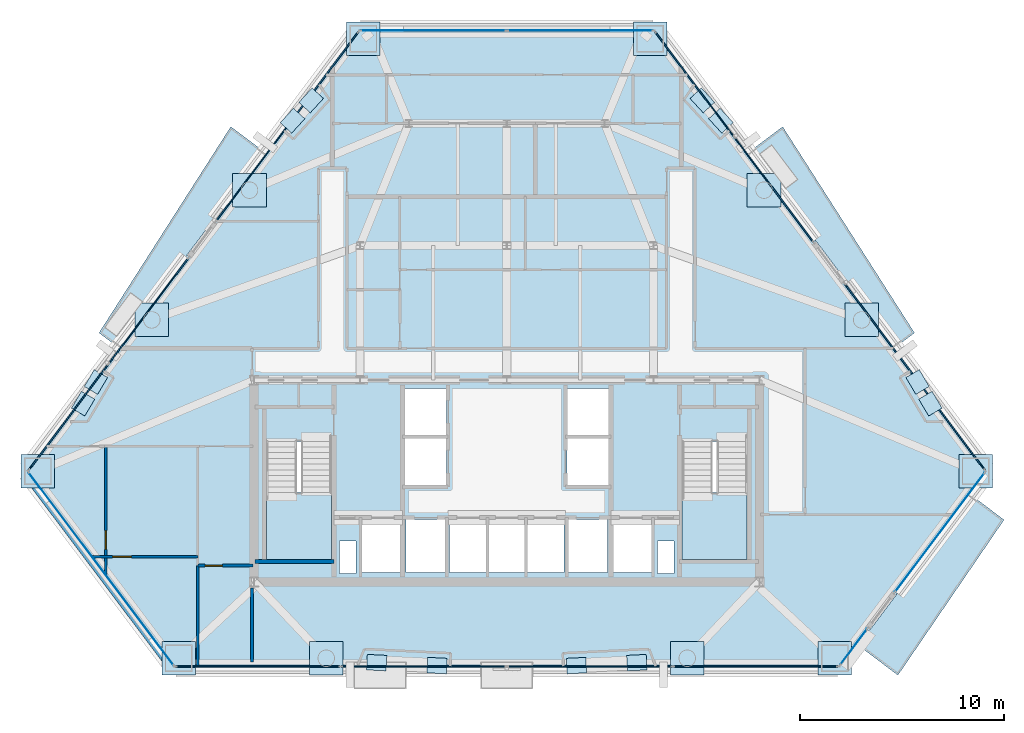
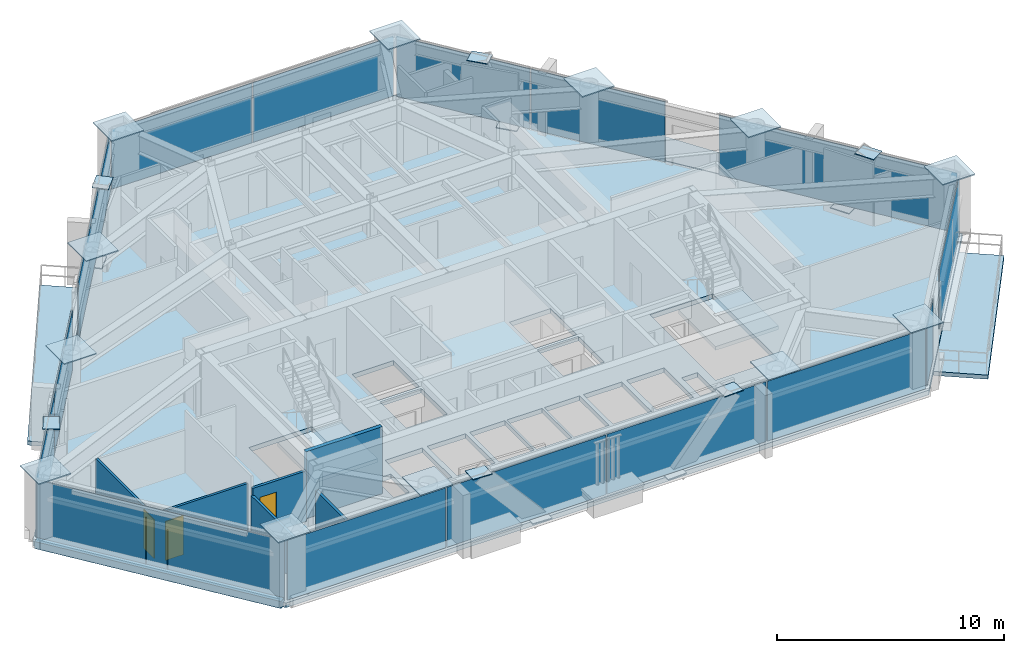
# One storey, part 5 of 11: 39 plates, 7 walls, 6 slabs, 3 doors, 3 openings, 11 elements without a shape of their own.
"""IFC4 building model written with IfcOpenShell, lengths in metres."""

from ifc_helpers import new_model, si_unit, direction, frame, frame_2d, origin, origin_2d, place, context, subcontext, project, spatial, polyline, rectangle, outline, extrude, source, transform, mapped, material, layer, layer_set, type_object, type_shapes, element, fill, aggregate, save


model = new_model("IFC4")

# Units and contexts
model_context = context("Model", 3, precision=1e-05, world=origin(), true_north=direction((0.0, 1.0)))
body_context = subcontext(model_context, "Body", "Model", "MODEL_VIEW")
ifc_project = project(units=[si_unit("LENGTHUNIT", "METRE"), si_unit("AREAUNIT", "SQUARE_METRE"), si_unit("VOLUMEUNIT", "CUBIC_METRE"), si_unit("PLANEANGLEUNIT", "RADIAN"), si_unit("MASSUNIT", "GRAM", prefix="KILO")], contexts=[model_context])

# Site, building, storey
site_placement = place(None, origin())
site = spatial("IfcSite", under=ifc_project, at=site_placement, CompositionType="ELEMENT")
building_placement = place(site_placement, origin())
building = spatial("IfcBuilding", under=site, at=building_placement, Name="Talgorran Terracotta Tower", CompositionType="ELEMENT")
storey_placement = place(building_placement, frame((0.0, 0.0, 79.199951171875)))
storey = spatial("IfcBuildingStorey", under=building, at=storey_placement, Name="L20", CompositionType="ELEMENT", Elevation=79.199951171875)

# Plates
ifc_material_1 = material(Name="Steel Grade 350 (350L0)", Category="steel")
ifc_layer_1 = layer(ifc_material_1, 0.0400390625, Name="PL_CAP_MN05")
ifc_layer_set_1 = layer_set([ifc_layer_1], Name="Steel Grade 350 (350L0)")
plate_type_1 = type_object("IfcPlateType", Name="PL_CAP_MN05", PredefinedType="USERDEFINED", material=ifc_layer_set_1)
for number, where, z_axis, x_axis, name in (
    (1, (-3.419189453125, -18.206787109375, -0.010009765625), (0.0, 0.0, 1.0), (-0.998814648022, 0.048675444496, 0.0), "L20 Diagonal Frame End Cap SWF Bot"),
    (2, (-6.381591796875, -18.062255859375, 3.320068359375), (0.0, 0.0, 1.0), (-0.998814648022, 0.048675444496, 0.0), "L20 Diagonal Frame End Cap SWF Top"),
    (3, (3.419189453125, -18.206787109375, -0.010009765625), (0.0, 0.0, 1.0), (0.998814648022, 0.048675444496, 0.0), "L20 Diagonal Frame End Cap SEF Bot"),
    (4, (6.381591796875, -18.062255859375, 3.320068359375), (0.0, 0.0, 1.0), (0.998814648022, 0.048675444496, 0.0), "L20 Diagonal Frame End Cap SEF Top"),
    (5, (20.15869140625, -4.291015625, -0.010009765625), (0.0, 0.0, 1.0), (0.509942503415, -0.860208488223, 0.0), "L20 Diagonal Frame End Cap NEL Bot"),
    (6, (20.788818359375, -5.353759765625, 3.320068359375), (0.0, 0.0, 1.0), (0.509942503415, -0.860208488223, 0.0), "L20 Diagonal Frame End Cap NEL Top"),
    (7, (10.51123046875, 8.531005859375, -0.010009765625), (0.0, 0.0, 1.0), (-0.675847524792, 0.737041466427, 0.0), "L20 Diagonal Frame End Cap NEU Bot"),
    (8, (9.59765625, 9.527099609375, 3.320068359375), (0.0, 0.0, 1.0), (-0.675847524792, 0.737041466427, 0.0), "L20 Diagonal Frame End Cap NEU Top"),
    (9, (-10.51123046875, 8.531005859375, -0.010009765625), (0.0, 0.0, 1.0), (0.675847524792, 0.737041466427, 0.0), "L20 Diagonal Frame End Cap NWU Bot"),
    (10, (-9.59765625, 9.527099609375, 3.320068359375), (0.0, 0.0, 1.0), (0.675847524792, 0.737041466427, 0.0), "L20 Diagonal Frame End Cap NWU Top"),
    (11, (-20.15869140625, -4.291015625, -0.010009765625), (0.0, 0.0, 1.0), (-0.509942503415, -0.860208488223, 0.0), "L20 Diagonal Frame End Cap NWL Bot"),
    (12, (-20.788818359375, -5.353759765625, 3.320068359375), (0.0, 0.0, 1.0), (-0.509942503415, -0.860208488223, 0.0), "L20 Diagonal Frame End Cap NWL Top"),
):
    element("IfcPlate", number, at=place(storey_placement, frame(where, z_axis=z_axis, x_axis=x_axis)), inside=storey, type_object=plate_type_1, Name=name, ObjectType="CAP PLATE", PredefinedType="USERDEFINED", context=body_context, shape_type="SweptSolid", body=[
        extrude(rectangle(XDim=0.9599609375, YDim=0.760009765625, at=origin_2d()), origin(), (0.0, 0.0, 1.0), 0.0400390625),
    ])
ifc_layer_2 = layer(ifc_material_1, 0.06005859375, Name="PL_NODE_MN01")
ifc_layer_set_2 = layer_set([ifc_layer_2], Name="Steel Grade 350 (350L0)")
plate_type_2 = type_object("IfcPlateType", Name="PL_NODE_MN01", PredefinedType="USERDEFINED", material=ifc_layer_set_2)
for number, where, z_axis, x_axis, name in (
    (13, (-23.005126953125, -8.6728515625, 3.5849609375), (0.0, 0.0, 1.0), (1.0, 0.0, 0.0), "L20 Mega-Column Cap Plate MC1"),
    (14, (-16.1025390625, -17.8466796875, 3.5849609375), (0.0, 0.0, 1.0), (1.0, 0.0, 0.0), "L20 Mega-Column Cap Plate MC2"),
    (15, (16.1025390625, -17.8466796875, 3.5849609375), (0.0, 0.0, 1.0), (1.0, 0.0, 0.0), "L20 Mega-Column Cap Plate MC3"),
    (16, (23.005126953125, -8.6728515625, 3.5849609375), (0.0, 0.0, 1.0), (1.0, 0.0, 0.0), "L20 Mega-Column Cap Plate MC4"),
    (17, (7.034423828125, 12.552734375, 3.5849609375), (0.0, 0.0, 1.0), (1.0, 0.0, 0.0), "L20 Mega-Column Cap Plate MC5"),
    (18, (-7.034423828125, 12.552734375, 3.5849609375), (0.0, 0.0, 1.0), (1.0, 0.0, 0.0), "L20 Mega-Column Cap Plate MC6"),
    (19, (-8.8564453125, -17.8466796875, 3.5849609375), (0.0, 0.0, 1.0), (1.0, 0.0, 0.0), "L20 Facet Column Cap Plate FC1"),
    (20, (8.8564453125, -17.8466796875, 3.5849609375), (0.0, 0.0, 1.0), (1.0, 0.0, 0.0), "L20 Facet Column Cap Plate FC2"),
    (21, (17.41552734375, -1.243896484375, 3.5849609375), (0.0, 0.0, 1.0), (1.0, 0.0, 0.0), "L20 Facet Column Cap Plate FC3"),
    (22, (12.624267578125, 5.123779296875, 3.5849609375), (0.0, 0.0, 1.0), (1.0, 0.0, 0.0), "L20 Facet Column Cap Plate FC4"),
    (23, (-12.624267578125, 5.123779296875, 3.5849609375), (0.0, 0.0, 1.0), (1.0, 0.0, 0.0), "L20 Facet Column Cap Plate FC5"),
    (24, (-17.41552734375, -1.243896484375, 3.5849609375), (0.0, 0.0, 1.0), (1.0, 0.0, 0.0), "L20 Facet Column Cap Plate FC6"),
):
    element("IfcPlate", number, at=place(storey_placement, frame(where, z_axis=z_axis, x_axis=x_axis)), inside=storey, type_object=plate_type_2, Name=name, ObjectType="NODE PLATE", PredefinedType="USERDEFINED", context=body_context, shape_type="SweptSolid", body=[
        extrude(rectangle(XDim=1.64990234375, YDim=1.64990234375, at=origin_2d()), origin(), (0.0, 0.0, 1.0), 0.06005859375),
    ])

# Slabs
ifc_material_2 = material(Name="Concrete C40/50", Category="concrete")
ifc_layer_3 = layer(ifc_material_2, 0.219970703125, Name="SL_BALCONY_220")
ifc_layer_set_3 = layer_set([ifc_layer_3], Name="Concrete C40/50")
slab_type_1 = type_object("IfcSlabType", Name="SL_BALCONY_220", PredefinedType="FLOOR", material=ifc_layer_set_3)
slab_1_placement = place(storey_placement, frame((0.0, 0.0, -0.219970703125)))
element("IfcSlab", 25, at=slab_1_placement, inside=storey, type_object=slab_type_1, Name="L20 Outdoor Wave Balcony BAL-NE", PredefinedType="FLOOR", context=body_context, shape_type="SweptSolid", body=[
    extrude(outline(polyline([(11.88720703125, 6.9931640625), (19.086669921875, -2.574951171875), (20.00732421875, -1.882080078125), (13.53955078125, 8.236083984375), (11.88720703125, 6.9931640625)])), origin(), (0.0, 0.0, 1.0), 0.219970703125),
])
slab_2_placement = place(storey_placement, frame((0.0, 0.0, -0.219970703125)))
element("IfcSlab", 26, at=slab_2_placement, inside=storey, type_object=slab_type_1, Name="L20 Outdoor Wave Balcony BAL-NW", PredefinedType="FLOOR", context=body_context, shape_type="SweptSolid", body=[
    extrude(outline(polyline([(-19.086669921875, -2.574951171875), (-11.88720703125, 6.9931640625), (-13.53955078125, 8.236083984375), (-20.00732421875, -1.882080078125), (-19.086669921875, -2.574951171875)])), origin(), (0.0, 0.0, 1.0), 0.219970703125),
])
slab_3_placement = place(storey_placement, frame((0.0, 0.0, -0.219970703125)))
element("IfcSlab", 27, at=slab_3_placement, inside=storey, type_object=slab_type_1, Name="L20 Outdoor Wave Balcony BAL-SE", PredefinedType="FLOOR", context=body_context, shape_type="SweptSolid", body=[
    extrude(outline(polyline([(22.792724609375, -9.84521484375), (17.249267578125, -17.21240234375), (19.194580078125, -18.67626953125), (24.400390625, -11.0546875), (22.792724609375, -9.84521484375)])), origin(), (0.0, 0.0, 1.0), 0.219970703125),
])

# Stair, slab
stair_type = type_object("IfcStairType", Name="ST_FIRE_SCISSOR", PredefinedType="HALF_TURN_STAIR", material=ifc_material_2)
stair_1_placement = place(storey_placement, origin())
stair_1 = element("IfcStair", 28, at=stair_1_placement, inside=storey, type_object=stair_type, Name="L20 West Protected Fire Stair ST-01", PredefinedType="HALF_TURN_STAIR")
ifc_layer_4 = layer(ifc_material_2, 0.199951171875, Name="SL_LANDING_200")
ifc_layer_set_4 = layer_set([ifc_layer_4], Name="Concrete C40/50")
slab_type_2 = type_object("IfcSlabType", Name="SL_LANDING_200", PredefinedType="LANDING", material=ifc_layer_set_4)
slab_4_placement = place(storey_placement, frame((0.0, 0.0, 1.60009765625)))
slab_4 = element("IfcSlab", 29, at=slab_4_placement, type_object=slab_type_2, Name="ST-01 landing 1", PredefinedType="LANDING", context=body_context, shape_type="SweptSolid", body=[
    extrude(outline(polyline([(-11.800048828125, -9.719970703125), (-11.800048828125, -13.0), (-8.60009765625, -13.0), (-8.60009765625, -9.719970703125), (-11.800048828125, -9.719970703125)])), origin(), (0.0, 0.0, 1.0), 0.199951171875),
])
aggregate(stair_1, [slab_4])

stair_2_placement = place(storey_placement, origin())
stair_2 = element("IfcStair", 30, at=stair_2_placement, inside=storey, type_object=stair_type, Name="L20 East Protected Fire Stair ST-02", PredefinedType="HALF_TURN_STAIR")
slab_5_placement = place(storey_placement, frame((0.0, 0.0, 1.60009765625)))
slab_5 = element("IfcSlab", 31, at=slab_5_placement, type_object=slab_type_2, Name="ST-02 landing 1", PredefinedType="LANDING", context=body_context, shape_type="SweptSolid", body=[
    extrude(outline(polyline([(8.60009765625, -9.719970703125), (8.60009765625, -13.0), (11.800048828125, -13.0), (11.800048828125, -9.719970703125), (8.60009765625, -9.719970703125)])), origin(), (0.0, 0.0, 1.0), 0.199951171875),
])
aggregate(stair_2, [slab_5])

# Slab
ifc_layer_5 = layer(ifc_material_2, 0.264892578125, Name="SL_TOWER_265")
ifc_layer_set_5 = layer_set([ifc_layer_5], Name="Concrete C40/50")
slab_type_3 = type_object("IfcSlabType", Name="SL_TOWER_265", PredefinedType="FLOOR", material=ifc_layer_set_5)
slab_6_placement = place(storey_placement, frame((0.0, 0.0, -0.25)))
element("IfcSlab", 32, at=slab_6_placement, inside=storey, type_object=slab_type_3, Name="Storey L20 Structural Floor Slab", PredefinedType="FLOOR", context=body_context, shape_type="SweptSolid", body=[
    extrude(outline(polyline([(-23.656005859375, -8.6728515625), (-16.362060546875, -18.36669921875), (16.362060546875, -18.36669921875), (23.656005859375, -8.6728515625), (7.2939453125, 13.07275390625), (-7.2939453125, 13.07275390625), (-23.656005859375, -8.6728515625)]), holes=[polyline([(-11.800048828125, -7.199951171875), (-11.800048828125, -13.0), (-8.60009765625, -13.0), (-8.60009765625, -7.199951171875), (-11.800048828125, -7.199951171875)]), polyline([(8.60009765625, -7.199951171875), (8.60009765625, -13.0), (11.800048828125, -13.0), (11.800048828125, -7.199951171875), (8.60009765625, -7.199951171875)]), polyline([(-7.10009765625, -13.64990234375), (-5.199951171875, -13.64990234375), (-5.199951171875, -11.050048828125), (-7.10009765625, -11.050048828125), (-7.10009765625, -13.64990234375)]), polyline([(5.199951171875, -13.64990234375), (7.10009765625, -13.64990234375), (7.10009765625, -11.050048828125), (5.199951171875, -11.050048828125), (5.199951171875, -13.64990234375)]), polyline([(3.0, -13.64990234375), (4.949951171875, -13.64990234375), (4.949951171875, -11.050048828125), (3.0, -11.050048828125), (3.0, -13.64990234375)]), polyline([(-4.949951171875, -13.64990234375), (-3.0, -13.64990234375), (-3.0, -11.050048828125), (-4.949951171875, -11.050048828125), (-4.949951171875, -13.64990234375)]), polyline([(-5.050048828125, -9.35009765625), (-2.949951171875, -9.35009765625), (-2.949951171875, -7.050048828125), (-5.050048828125, -7.050048828125), (-5.050048828125, -9.35009765625)]), polyline([(-5.050048828125, -6.89990234375), (-2.949951171875, -6.89990234375), (-2.949951171875, -4.60009765625), (-5.050048828125, -4.60009765625), (-5.050048828125, -6.89990234375)]), polyline([(2.949951171875, -9.35009765625), (5.050048828125, -9.35009765625), (5.050048828125, -7.050048828125), (2.949951171875, -7.050048828125), (2.949951171875, -9.35009765625)]), polyline([(2.949951171875, -6.89990234375), (5.050048828125, -6.89990234375), (5.050048828125, -4.60009765625), (2.949951171875, -4.60009765625), (2.949951171875, -6.89990234375)]), polyline([(-2.800048828125, -13.64990234375), (-1.0, -13.64990234375), (-1.0, -11.050048828125), (-2.800048828125, -11.050048828125), (-2.800048828125, -13.64990234375)]), polyline([(-0.89990234375, -13.64990234375), (0.89990234375, -13.64990234375), (0.89990234375, -11.050048828125), (-0.89990234375, -11.050048828125), (-0.89990234375, -13.64990234375)]), polyline([(1.0, -13.64990234375), (2.800048828125, -13.64990234375), (2.800048828125, -11.050048828125), (1.0, -11.050048828125), (1.0, -13.64990234375)]), polyline([(-8.199951171875, -13.699951171875), (-7.39990234375, -13.699951171875), (-7.39990234375, -12.10009765625), (-8.199951171875, -12.10009765625), (-8.199951171875, -13.699951171875)]), polyline([(7.39990234375, -13.699951171875), (8.199951171875, -13.699951171875), (8.199951171875, -12.10009765625), (7.39990234375, -12.10009765625), (7.39990234375, -13.699951171875)])]), origin(), (0.0, 0.0, 1.0), 0.25),
])

# Curtain wall, plate
ifc_material_3 = material(Name="Unitised Low-E Double Glazing", Category="glass")
ifc_layer_6 = layer(ifc_material_3, 0.199951171875, Name="CW_SYS2_RES_LOW")
ifc_layer_set_6 = layer_set([ifc_layer_6], Name="Unitised Low-E Double Glazing")
curtain_wall_type = type_object("IfcCurtainWallType", Name="CW_SYS2_RES_LOW", PredefinedType="NOTDEFINED", material=ifc_layer_set_6)
curtain_wall_1_placement = place(storey_placement, origin())
curtain_wall_1 = element("IfcCurtainWall", 33, at=curtain_wall_1_placement, inside=storey, type_object=curtain_wall_type, Name="CW-L20-F0", PredefinedType="NOTDEFINED")
ifc_material_4 = material(Name="Low-E Laminated Vision Glass", Category="glass")
ifc_layer_7 = layer(ifc_material_4, 0.028076171875, Name="PLT_VISION_28")
ifc_layer_set_7 = layer_set([ifc_layer_7], Name="Low-E Laminated Vision Glass")
plate_type_3 = type_object("IfcPlateType", Name="PLT_VISION_28", PredefinedType="CURTAIN_PANEL", material=ifc_layer_set_7)
shared_shape_1 = source(origin(), body_context, "Body", "SweptSolid", [
    extrude(rectangle(XDim=11.851318359375, YDim=0.028076171875, at=origin_2d()), origin(), (0.0, 0.0, 1.0), 3.219970703125),
])
plate_1_placement = place(storey_placement, frame((-19.904052734375, -13.459716796875, 0.06494140625), z_axis=(0.0, 0.0, 1.0), x_axis=(0.601242540556, -0.799066585102, 0.0)))
plate_1 = element("IfcPlate", 34, at=plate_1_placement, type_object=plate_type_3, Name="CW-L20-0 panel 1.1", PredefinedType="CURTAIN_PANEL", context=body_context, shape_type="MappedRepresentation", body=[
    mapped(shared_shape_1, transform((0.0, 0.0, 0.0), scale=1.0)),
])
aggregate(curtain_wall_1, [plate_1])

# Curtain wall, plates
curtain_wall_2_placement = place(storey_placement, origin())
curtain_wall_2 = element("IfcCurtainWall", 35, at=curtain_wall_2_placement, inside=storey, type_object=curtain_wall_type, Name="CW-L20-F4", PredefinedType="NOTDEFINED")
shared_shape_2 = source(origin(), body_context, "Body", "SweptSolid", [
    extrude(rectangle(XDim=7.13671875, YDim=0.028076171875, at=origin_2d()), origin(), (0.0, 0.0, 1.0), 3.219970703125),
])
plate_2_placement = place(storey_placement, frame((3.600830078125, 12.952880859375, 0.06494140625), z_axis=(0.0, 0.0, 1.0), x_axis=(-1.0, 0.0, 0.0)))
plate_2 = element("IfcPlate", 36, at=plate_2_placement, type_object=plate_type_3, Name="CW-L20-4 panel 1.1", PredefinedType="CURTAIN_PANEL", context=body_context, shape_type="MappedRepresentation", body=[
    mapped(shared_shape_2, transform((0.0, 0.0, 0.0), scale=1.0)),
])
plate_3_placement = place(storey_placement, frame((-3.600830078125, 12.952880859375, 0.06494140625), z_axis=(0.0, 0.0, 1.0), x_axis=(-1.0, 0.0, 0.0)))
plate_3 = element("IfcPlate", 37, at=plate_3_placement, type_object=plate_type_3, Name="CW-L20-4 panel 2.1", PredefinedType="CURTAIN_PANEL", context=body_context, shape_type="MappedRepresentation", body=[
    mapped(shared_shape_2, transform((0.0, 0.0, 0.0), scale=1.0)),
])
aggregate(curtain_wall_2, [plate_2, plate_3])

# Curtain wall, plate
curtain_wall_3_placement = place(storey_placement, origin())
curtain_wall_3 = element("IfcCurtainWall", 38, at=curtain_wall_3_placement, inside=storey, type_object=curtain_wall_type, Name="CW-L20-F30", PredefinedType="NOTDEFINED")
shared_shape_3 = source(origin(), body_context, "Body", "SweptSolid", [
    extrude(rectangle(XDim=2.18359375, YDim=0.028076171875, at=origin_2d()), origin(), (0.0, 0.0, 1.0), 3.219970703125),
])
plate_4_placement = place(storey_placement, frame((17.021484375, -17.290283203125, 0.06494140625), z_axis=(0.0, 0.0, 1.0), x_axis=(0.601257965601, 0.799054978585, 0.0)))
plate_4 = element("IfcPlate", 39, at=plate_4_placement, type_object=plate_type_3, Name="CW-L20-30 panel 1.1", PredefinedType="CURTAIN_PANEL", context=body_context, shape_type="MappedRepresentation", body=[
    mapped(shared_shape_3, transform((0.0, 0.0, 0.0), scale=1.0)),
])
aggregate(curtain_wall_3, [plate_4])

curtain_wall_4_placement = place(storey_placement, origin())
curtain_wall_4 = element("IfcCurtainWall", 40, at=curtain_wall_4_placement, inside=storey, type_object=curtain_wall_type, Name="CW-L20-F31", PredefinedType="NOTDEFINED")
shared_shape_4 = source(origin(), body_context, "Body", "SweptSolid", [
    extrude(rectangle(XDim=7.2978515625, YDim=0.028076171875, at=origin_2d()), origin(), (0.0, 0.0, 1.0), 3.219970703125),
])
type_shapes(plate_type_3, [shared_shape_1, shared_shape_2, shared_shape_3, shared_shape_4])
plate_5_placement = place(storey_placement, frame((21.248779296875, -11.67236328125, 0.06494140625), z_axis=(0.0, 0.0, 1.0), x_axis=(0.601250772116, 0.799060391354, 0.0)))
plate_5 = element("IfcPlate", 41, at=plate_5_placement, type_object=plate_type_3, Name="CW-L20-31 panel 1.1", PredefinedType="CURTAIN_PANEL", context=body_context, shape_type="MappedRepresentation", body=[
    mapped(shared_shape_4, transform((0.0, 0.0, 0.0), scale=1.0)),
])
aggregate(curtain_wall_4, [plate_5])

# Curtain wall, plates
curtain_wall_5_placement = place(storey_placement, origin())
curtain_wall_5 = element("IfcCurtainWall", 42, at=curtain_wall_5_placement, inside=storey, type_object=curtain_wall_type, Name="CW-L20-F1", PredefinedType="NOTDEFINED")
ifc_material_5 = material(Name="Terracotta Insulated Spandrel", Category="masonry")
ifc_layer_8 = layer(ifc_material_5, 0.06494140625, Name="PLT_SPANDREL_TERRA")
ifc_layer_set_8 = layer_set([ifc_layer_8], Name="Terracotta Insulated Spandrel")
plate_type_4 = type_object("IfcPlateType", Name="PLT_SPANDREL_TERRA", PredefinedType="SHEET", material=ifc_layer_set_8)
shared_shape_5 = source(origin(), body_context, "Body", "SweptSolid", [
    extrude(rectangle(XDim=8.053466796875, YDim=0.06494140625, at=origin_2d()), origin(), (0.0, 0.0, 1.0), 3.219970703125),
])
plate_6_placement = place(storey_placement, frame((-12.210205078125, -18.24658203125, 0.06494140625), z_axis=(0.0, 0.0, 1.0), x_axis=(1.0, 0.0, 0.0)))
plate_6 = element("IfcPlate", 43, at=plate_6_placement, type_object=plate_type_4, Name="CW-L20-1 panel 1.1", PredefinedType="CURTAIN_PANEL", context=body_context, shape_type="MappedRepresentation", body=[
    mapped(shared_shape_5, transform((0.0, 0.0, 0.0), scale=1.0)),
])
plate_7_placement = place(storey_placement, frame((12.210205078125, -18.24658203125, 0.06494140625), z_axis=(0.0, 0.0, 1.0), x_axis=(1.0, 0.0, 0.0)))
plate_7 = element("IfcPlate", 44, at=plate_7_placement, type_object=plate_type_4, Name="CW-L20-1 panel 4.1", PredefinedType="CURTAIN_PANEL", context=body_context, shape_type="MappedRepresentation", body=[
    mapped(shared_shape_5, transform((0.0, 0.0, 0.0), scale=1.0)),
])
shared_shape_6 = source(origin(), body_context, "Body", "SweptSolid", [
    extrude(rectangle(XDim=8.0859375, YDim=0.06494140625, at=origin_2d()), origin(), (0.0, 0.0, 1.0), 3.219970703125),
])
plate_8_placement = place(storey_placement, frame((-4.075439453125, -18.24658203125, 0.06494140625), z_axis=(0.0, 0.0, 1.0), x_axis=(1.0, 0.0, 0.0)))
plate_8 = element("IfcPlate", 45, at=plate_8_placement, type_object=plate_type_4, Name="CW-L20-1 panel 2.1", PredefinedType="CURTAIN_PANEL", context=body_context, shape_type="MappedRepresentation", body=[
    mapped(shared_shape_6, transform((0.0, 0.0, 0.0), scale=1.0)),
])
plate_9_placement = place(storey_placement, frame((4.075439453125, -18.24658203125, 0.06494140625), z_axis=(0.0, 0.0, 1.0), x_axis=(1.0, 0.0, 0.0)))
plate_9 = element("IfcPlate", 46, at=plate_9_placement, type_object=plate_type_4, Name="CW-L20-1 panel 3.1", PredefinedType="CURTAIN_PANEL", context=body_context, shape_type="MappedRepresentation", body=[
    mapped(shared_shape_6, transform((0.0, 0.0, 0.0), scale=1.0)),
])
aggregate(curtain_wall_5, [plate_6, plate_8, plate_9, plate_7])

# Curtain wall, plate
curtain_wall_6_placement = place(storey_placement, origin())
curtain_wall_6 = element("IfcCurtainWall", 47, at=curtain_wall_6_placement, inside=storey, type_object=curtain_wall_type, Name="CW-L20-F40", PredefinedType="NOTDEFINED")
shared_shape_7 = source(origin(), body_context, "Body", "SweptSolid", [
    extrude(rectangle(XDim=11.4033203125, YDim=0.06494140625, at=origin_2d()), origin(), (0.0, 0.0, 1.0), 3.219970703125),
])
plate_10_placement = place(storey_placement, frame((20.0146484375, -4.032958984375, 0.06494140625), z_axis=(0.0, 0.0, 1.0), x_axis=(-0.601245063586, 0.799064686689, 0.0)))
plate_10 = element("IfcPlate", 48, at=plate_10_placement, type_object=plate_type_4, Name="CW-L20-40 panel 1.1", PredefinedType="CURTAIN_PANEL", context=body_context, shape_type="MappedRepresentation", body=[
    mapped(shared_shape_7, transform((0.0, 0.0, 0.0), scale=1.0)),
])
aggregate(curtain_wall_6, [plate_10])

# Curtain wall, plates
curtain_wall_7_placement = place(storey_placement, origin())
curtain_wall_7 = element("IfcCurtainWall", 49, at=curtain_wall_7_placement, inside=storey, type_object=curtain_wall_type, Name="CW-L20-F41", PredefinedType="NOTDEFINED")
shared_shape_8 = source(origin(), body_context, "Body", "SweptSolid", [
    extrude(rectangle(XDim=6.397705078125, YDim=0.06494140625, at=origin_2d()), origin(), (0.0, 0.0, 1.0), 3.219970703125),
])
plate_11_placement = place(storey_placement, frame((13.106201171875, 5.148681640625, 0.06494140625), z_axis=(0.0, 0.0, 1.0), x_axis=(-0.601246967046, 0.799063254453, 0.0)))
plate_11 = element("IfcPlate", 50, at=plate_11_placement, type_object=plate_type_4, Name="CW-L20-41 panel 1.1", PredefinedType="CURTAIN_PANEL", context=body_context, shape_type="MappedRepresentation", body=[
    mapped(shared_shape_8, transform((0.0, 0.0, 0.0), scale=1.0)),
])
plate_12_placement = place(storey_placement, frame((9.220458984375, 10.312744140625, 0.06494140625), z_axis=(0.0, 0.0, 1.0), x_axis=(-0.601246967046, 0.799063254453, 0.0)))
plate_12 = element("IfcPlate", 51, at=plate_12_placement, type_object=plate_type_4, Name="CW-L20-41 panel 2.1", PredefinedType="CURTAIN_PANEL", context=body_context, shape_type="MappedRepresentation", body=[
    mapped(shared_shape_8, transform((0.0, 0.0, 0.0), scale=1.0)),
])
aggregate(curtain_wall_7, [plate_11, plate_12])

# Curtain wall, plate
curtain_wall_8_placement = place(storey_placement, origin())
curtain_wall_8 = element("IfcCurtainWall", 52, at=curtain_wall_8_placement, inside=storey, type_object=curtain_wall_type, Name="CW-L20-F60", PredefinedType="NOTDEFINED")
shared_shape_9 = source(origin(), body_context, "Body", "SweptSolid", [
    extrude(rectangle(XDim=11.578857421875, YDim=0.06494140625, at=origin_2d()), origin(), (0.0, 0.0, 1.0), 3.219970703125),
])
plate_13_placement = place(storey_placement, frame((-10.778076171875, 8.24267578125, 0.06494140625), z_axis=(0.0, 0.0, 1.0), x_axis=(-0.601242772205, -0.799066410802, 0.0)))
plate_13 = element("IfcPlate", 53, at=plate_13_placement, type_object=plate_type_4, Name="CW-L20-60 panel 1.1", PredefinedType="CURTAIN_PANEL", context=body_context, shape_type="MappedRepresentation", body=[
    mapped(shared_shape_9, transform((0.0, 0.0, 0.0), scale=1.0)),
])
aggregate(curtain_wall_8, [plate_13])

# Curtain wall, plates
curtain_wall_9_placement = place(storey_placement, origin())
curtain_wall_9 = element("IfcCurtainWall", 54, at=curtain_wall_9_placement, inside=storey, type_object=curtain_wall_type, Name="CW-L20-F61", PredefinedType="NOTDEFINED")
shared_shape_10 = source(origin(), body_context, "Body", "SweptSolid", [
    extrude(rectangle(XDim=6.459716796875, YDim=0.06494140625, at=origin_2d()), origin(), (0.0, 0.0, 1.0), 3.219970703125),
])
type_shapes(plate_type_4, [shared_shape_5, shared_shape_6, shared_shape_7, shared_shape_8, shared_shape_9, shared_shape_10])
plate_14_placement = place(storey_placement, frame((-17.57763671875, -0.794189453125, 0.06494140625), z_axis=(0.0, 0.0, 1.0), x_axis=(-0.601246126294, -0.799063887068, 0.0)))
plate_14 = element("IfcPlate", 55, at=plate_14_placement, type_object=plate_type_4, Name="CW-L20-61 panel 1.1", PredefinedType="CURTAIN_PANEL", context=body_context, shape_type="MappedRepresentation", body=[
    mapped(shared_shape_10, transform((0.0, 0.0, 0.0), scale=1.0)),
])
plate_15_placement = place(storey_placement, frame((-21.500732421875, -6.008056640625, 0.06494140625), z_axis=(0.0, 0.0, 1.0), x_axis=(-0.601246126294, -0.799063887068, 0.0)))
plate_15 = element("IfcPlate", 56, at=plate_15_placement, type_object=plate_type_4, Name="CW-L20-61 panel 2.1", PredefinedType="CURTAIN_PANEL", context=body_context, shape_type="MappedRepresentation", body=[
    mapped(shared_shape_10, transform((0.0, 0.0, 0.0), scale=1.0)),
])
aggregate(curtain_wall_9, [plate_14, plate_15])

# Walls
ifc_material_6 = material(Name="Concrete C50/60", Category="concrete")
ifc_layer_9 = layer(ifc_material_6, 0.199951171875, Name="WT_CORE_200")
ifc_layer_set_9 = layer_set([ifc_layer_9], Name="Concrete C50/60")
wall_type_1 = type_object("IfcWallType", Name="WT_CORE_200", PredefinedType="SOLIDWALL", material=ifc_layer_set_9)
wall_1_placement = place(storey_placement, frame((-12.35009765625, -13.10009765625, 0.0), z_axis=(0.0, 0.0, 1.0), x_axis=(1.0, 0.0, 0.0)))
element("IfcWall", 57, at=wall_1_placement, inside=storey, type_object=wall_type_1, Name="WL-L20-CW-ST1-S", PredefinedType="SOLIDWALL", context=body_context, shape_type="SweptSolid", body=[
    extrude(rectangle(XDim=3.8701171875, YDim=0.199951171875, at=frame_2d((1.93505859375, 0.0))), origin(), (0.0, 0.0, 1.0), 3.60009765625),
])
ifc_layer_10 = layer(ifc_material_2, 0.219970703125, Name="WT_PARAPET_RC")
ifc_layer_set_10 = layer_set([ifc_layer_10], Name="Concrete C40/50")
wall_type_2 = type_object("IfcWallType", Name="WT_PARAPET_RC", PredefinedType="PARAPET", material=ifc_layer_set_10)
wall_2_placement = place(storey_placement, frame((-23.585693359375, -8.8330078125, -0.199951171875), z_axis=(0.0, 0.0, 1.0), x_axis=(0.60125162281, -0.79905975125, 0.0)))
element("IfcWall", 58, at=wall_2_placement, inside=storey, type_object=wall_type_2, Name="L20 Striped Portal Precast Cornice F0", PredefinedType="PARAPET", context=body_context, shape_type="SweptSolid", body=[
    extrude(rectangle(XDim=11.821533203125, YDim=0.360107421875, at=frame_2d((5.91064453125, 0.0))), origin(), (0.0, 0.0, 1.0), 0.3798828125),
])

# Wall, opening, door
ifc_material_7 = material(Name="Insulated Steel Stud Plasterboard", Category="steel")
ifc_layer_11 = layer(ifc_material_7, 0.1201171875, Name="WT_PART_120")
ifc_layer_set_11 = layer_set([ifc_layer_11], Name="Insulated Steel Stud Plasterboard")
wall_type_3 = type_object("IfcWallType", Name="WT_PART_120", PredefinedType="PARTITIONING", material=ifc_layer_set_11)
wall_3_placement = place(storey_placement, frame((-19.679931640625, -13.75732421875, 0.0), z_axis=(0.0, 0.0, 1.0), x_axis=(0.0, 1.0, 0.0)))
wall_3 = element("IfcWall", 59, at=wall_3_placement, inside=storey, type_object=wall_type_3, Name="WL-L20-W-L20-R32", PredefinedType="PARTITIONING", context=body_context, shape_type="SweptSolid", body=[
    extrude(rectangle(XDim=6.3173828125, YDim=0.1201171875, at=frame_2d((3.15869140625, 0.0))), origin(), (0.0, 0.0, 1.0), 2.324951171875),
])
opening_1_placement = place(wall_3_placement, frame((1.25634765625, 0.0, 0.0)))
opening_1 = element("IfcOpeningElement", 60, at=opening_1_placement, cuts=wall_3, Name="Opening DR-L20-R04", PredefinedType="OPENING", context=body_context, shape_type="SweptSolid", body=[
    extrude(rectangle(XDim=0.925921875, YDim=2.10409765625, at=frame_2d((0.4599609375, 1.052001953125))), frame((0.0, 0.070068359375, 0.0), z_axis=(0.0, -1.0, 0.0), x_axis=(1.0, 0.0, 0.0)), (0.0, 0.0, 1.0), 0.14013671875),
])
ifc_material_8 = material(Name="Solid-Core Painted Timber", Category="wood")
door_type_1 = type_object("IfcDoorType", Name="DT_INT_920", OperationType="NOTDEFINED", PredefinedType="DOOR", material=ifc_material_8)
door_1_placement = place(opening_1_placement, origin())
door_1 = element("IfcDoor", 61, at=door_1_placement, inside=storey, type_object=door_type_1, Name="DR-L20-R04", OperationType="SINGLE_SWING_RIGHT", OverallHeight=2.10009765625, OverallWidth=0.919921875, PredefinedType="DOOR", context=body_context, shape_type="SweptSolid", body=[
    extrude(rectangle(XDim=0.919921875, YDim=2.10009765625, at=frame_2d((0.4599609375, 1.050048828125))), frame((0.0, 0.02490234375, 0.0), z_axis=(0.0, -1.0, 0.0), x_axis=(1.0, 0.0, 0.0)), (0.0, 0.0, 1.0), 0.050048828125),
])
fill(opening_1, door_1)

wall_4_placement = place(storey_placement, frame((-20.355224609375, -12.860107421875, 0.0), z_axis=(0.0, 0.0, 1.0), x_axis=(1.0, 0.0, 0.0)))
wall_4 = element("IfcWall", 62, at=wall_4_placement, inside=storey, type_object=wall_type_3, Name="WL-L20-W-L20-R31", PredefinedType="PARTITIONING", context=body_context, shape_type="SweptSolid", body=[
    extrude(rectangle(XDim=5.1953125, YDim=0.1201171875, at=frame_2d((2.59765625, 0.0))), origin(), (0.0, 0.0, 1.0), 2.71337890625),
])
opening_2_placement = place(wall_4_placement, frame((1.013671875, 0.0, 0.0)))
opening_2 = element("IfcOpeningElement", 63, at=opening_2_placement, cuts=wall_4, Name="Opening DR-L20-R03", PredefinedType="OPENING", context=body_context, shape_type="SweptSolid", body=[
    extrude(rectangle(XDim=0.925921875, YDim=2.10409765625, at=frame_2d((0.4599609375, 1.052001953125))), frame((0.0, 0.070068359375, 0.0), z_axis=(0.0, -1.0, 0.0), x_axis=(1.0, 0.0, 0.0)), (0.0, 0.0, 1.0), 0.14013671875),
])
door_2_placement = place(opening_2_placement, origin())
door_2 = element("IfcDoor", 64, at=door_2_placement, inside=storey, type_object=door_type_1, Name="DR-L20-R03", OperationType="SINGLE_SWING_LEFT", OverallHeight=2.10009765625, OverallWidth=0.919921875, PredefinedType="DOOR", context=body_context, shape_type="SweptSolid", body=[
    extrude(rectangle(XDim=0.919921875, YDim=2.10009765625, at=frame_2d((0.4599609375, 1.050048828125))), frame((0.0, 0.02490234375, 0.0), z_axis=(0.0, -1.0, 0.0), x_axis=(1.0, 0.0, 0.0)), (0.0, 0.0, 1.0), 0.050048828125),
])
fill(opening_2, door_2)

# Wall
ifc_material_9 = material(Name="Moisture-Resistant Stud Wall")
ifc_layer_12 = layer(ifc_material_9, 0.135009765625, Name="WT_PART_135")
ifc_layer_set_12 = layer_set([ifc_layer_12], Name="Moisture-Resistant Stud Wall")
wall_type_4 = type_object("IfcWallType", Name="WT_PART_135", PredefinedType="PARTITIONING", material=ifc_layer_set_12)
wall_5_placement = place(storey_placement, frame((-15.159912109375, -18.24658203125, 0.0), z_axis=(0.0, 0.0, 1.0), x_axis=(0.0, 1.0, 0.0)))
element("IfcWall", 65, at=wall_5_placement, inside=storey, type_object=wall_type_4, Name="WL-L20-W-L20-R27", PredefinedType="PARTITIONING", context=body_context, shape_type="SweptSolid", body=[
    extrude(rectangle(XDim=4.946533203125, YDim=0.135009765625, at=frame_2d((2.47314453125, 0.0))), origin(), (0.0, 0.0, 1.0), 2.324951171875),
])

# Wall, opening, door
wall_6_placement = place(storey_placement, frame((-15.159912109375, -13.300048828125, 0.0), z_axis=(0.0, 0.0, 1.0), x_axis=(1.0, 0.0, 0.0)))
wall_6 = element("IfcWall", 66, at=wall_6_placement, inside=storey, type_object=wall_type_4, Name="WL-L20-W-L20-R26", PredefinedType="PARTITIONING", context=body_context, shape_type="SweptSolid", body=[
    extrude(rectangle(XDim=2.719970703125, YDim=0.135009765625, at=frame_2d((1.35986328125, 0.0))), origin(), (0.0, 0.0, 1.0), 2.71337890625),
])
opening_3_placement = place(wall_6_placement, frame((0.35498046875, 0.0, 0.0)))
opening_3 = element("IfcOpeningElement", 67, at=opening_3_placement, cuts=wall_6, Name="Opening DR-L20-R02", PredefinedType="OPENING", context=body_context, shape_type="SweptSolid", body=[
    extrude(rectangle(XDim=0.85609765625, YDim=2.10409765625, at=frame_2d((0.425048828125, 1.052001953125))), frame((0.0, 0.07763671875, 0.0), z_axis=(0.0, -1.0, 0.0), x_axis=(1.0, 0.0, 0.0)), (0.0, 0.0, 1.0), 0.155029296875),
])
ifc_material_10 = material(Name="Moisture-Resistant Solid Timber", Category="wood")
door_type_2 = type_object("IfcDoorType", Name="DT_INT_850", OperationType="NOTDEFINED", PredefinedType="DOOR", material=ifc_material_10)
door_3_placement = place(opening_3_placement, origin())
door_3 = element("IfcDoor", 68, at=door_3_placement, inside=storey, type_object=door_type_2, Name="DR-L20-R02", OperationType="SINGLE_SWING_RIGHT", OverallHeight=2.10009765625, OverallWidth=0.85009765625, PredefinedType="DOOR", context=body_context, shape_type="SweptSolid", body=[
    extrude(rectangle(XDim=0.85009765625, YDim=2.10009765625, at=frame_2d((0.425048828125, 1.050048828125))), frame((0.0, 0.02490234375, 0.0), z_axis=(0.0, -1.0, 0.0), x_axis=(1.0, 0.0, 0.0)), (0.0, 0.0, 1.0), 0.050048828125),
])
fill(opening_3, door_3)

# Wall
wall_7_placement = place(storey_placement, frame((-12.5, -14.39990234375, 0.0), z_axis=(0.0, 0.0, 1.0), x_axis=(0.0, -1.0, 0.0)))
element("IfcWall", 69, at=wall_7_placement, inside=storey, type_object=wall_type_4, Name="WL-L20-W-L20-R64", PredefinedType="PARTITIONING", context=body_context, shape_type="SweptSolid", body=[
    extrude(rectangle(XDim=3.626708984375, YDim=0.135009765625, at=frame_2d((1.8134765625, 0.0))), origin(), (0.0, 0.0, 1.0), 2.324951171875),
])

save(model, "model.ifc")
